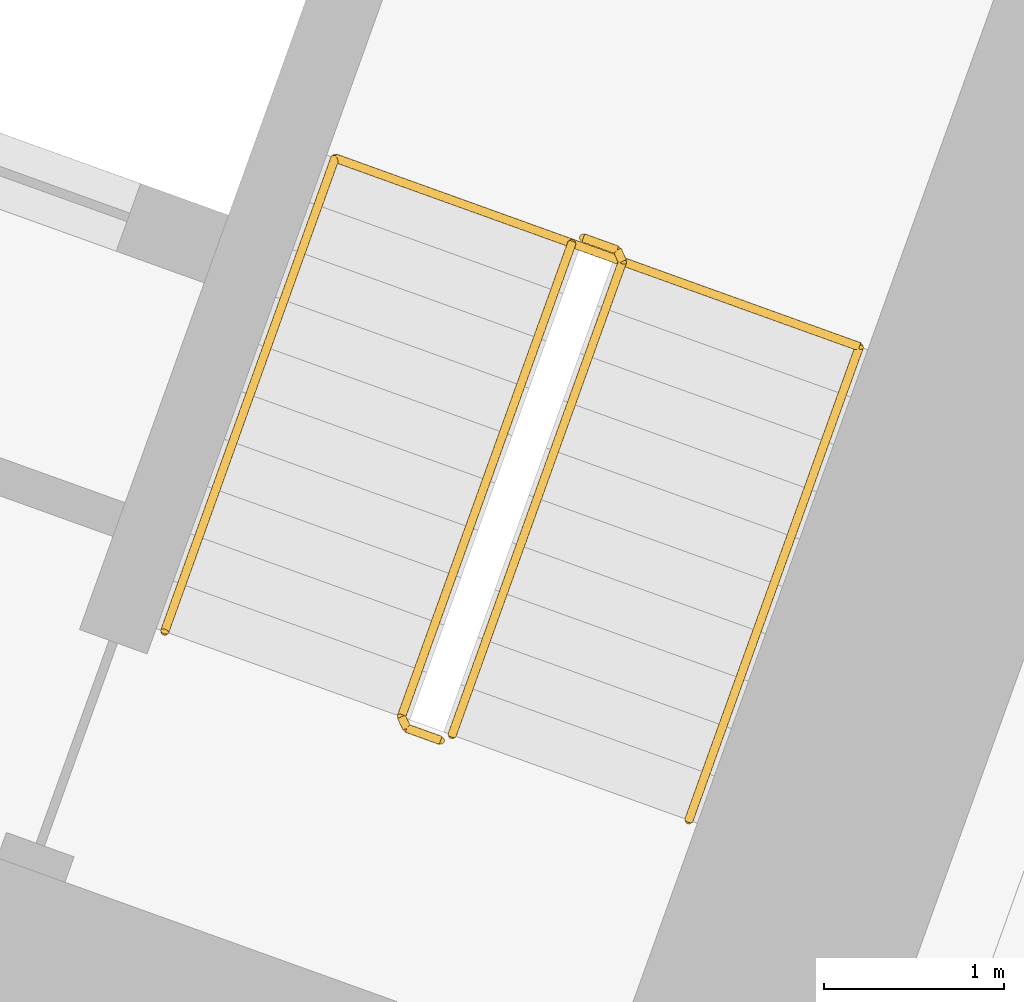
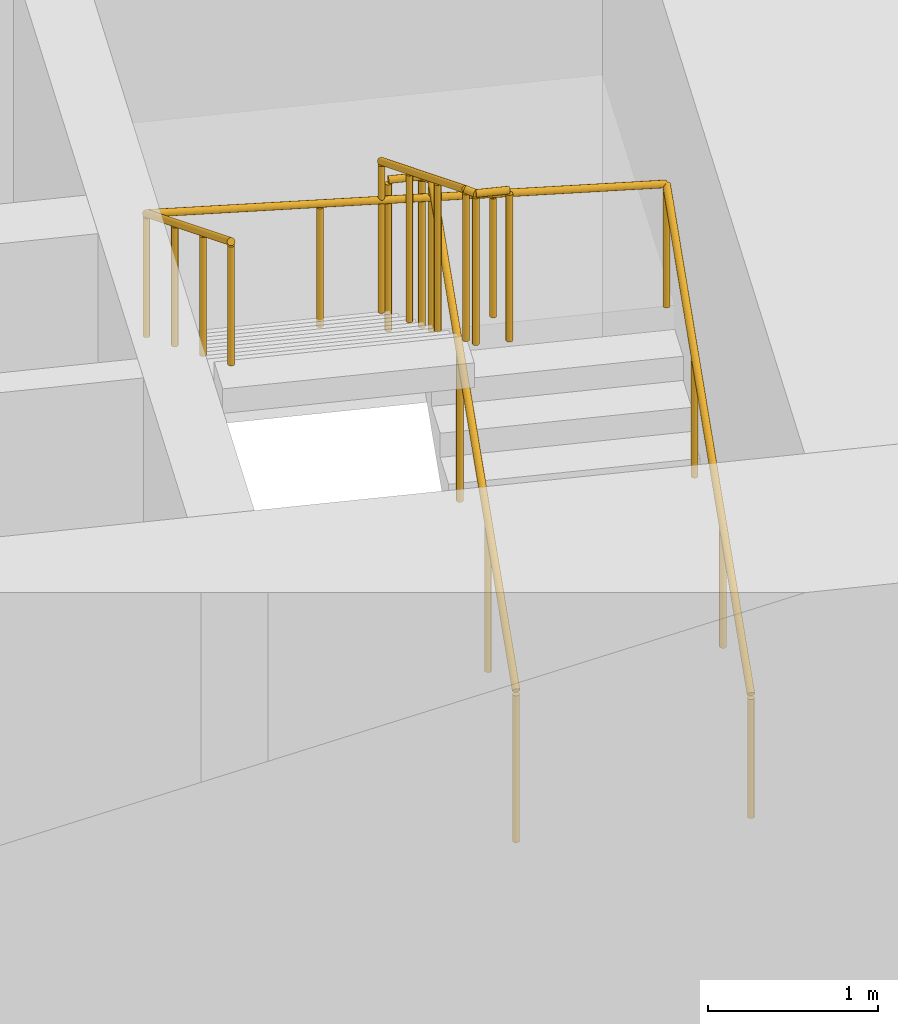
# One storey, part 21 of 21: 3 railings.
"""IFC4 building model written with IfcOpenShell, lengths in metres."""

import ifcopenshell
import ifcopenshell.guid

model = None  # the IFC model being written
_history = None  # IfcOwnerHistory: only IFC2X3 demands one
_inside = {}  # id of a spatial element -> (the spatial element, [elements in it])
_under = {}  # id of a project, library or spatial element -> (it, [spatial elements below it])
_declared = {}  # id of a project -> (the project, [libraries it declares])
_typed = {}  # id of a type object -> (the type object, [elements of that type])
_made_of = {}  # id of a material, layer set ... -> (it, [elements and type objects made of it])


def new_model(schema):
    """Start an empty IFC model of exactly this schema.

    Asked for "IFC4X3", IfcOpenShell would pick the latest addendum, in which some entities
    have other attributes; the version numbers below select the first issue.
    IFC2X3 requires an IfcOwnerHistory on every rooted entity: one is made here for all.
    """
    global model, _history
    if schema == "IFC4X3":
        model = ifcopenshell.file(schema_version=(4, 3, 0, 0))
    else:
        model = ifcopenshell.file(schema=schema)
    _inside.clear()
    _under.clear()
    _declared.clear()
    _typed.clear()
    _made_of.clear()
    _history = None
    if model.schema == "IFC2X3":
        org = make("IfcOrganization", Name="unknown")
        user = make(
            "IfcPersonAndOrganization",
            ThePerson=make("IfcPerson", FamilyName="unknown"),
            TheOrganization=org,
        )
        app = make(
            "IfcApplication",
            ApplicationDeveloper=org,
            Version="unknown",
            ApplicationFullName="unknown",
            ApplicationIdentifier="unknown",
        )
        _history = make(
            "IfcOwnerHistory",
            OwningUser=user,
            OwningApplication=app,
            ChangeAction="ADDED",
            CreationDate=0,
        )
    return model


def make(cls, **values):
    """One entity of the class cls with the attributes given. An attribute that is None is left unset."""
    return model.create_entity(
        cls, **{name: value for name, value in values.items() if value is not None}
    )


def rooted(cls, **values):
    """An entity with a GlobalId (a new one), such as an element, a storey or a relation."""
    return make(cls, GlobalId=ifcopenshell.guid.new(), OwnerHistory=_history, **values)


def si_unit(unit_type, name, prefix=None):
    """IfcSIUnit, for example si_unit("LENGTHUNIT", "METRE", prefix="MILLI")."""
    return make("IfcSIUnit", UnitType=unit_type, Prefix=prefix, Name=name)


def assignment(units):
    """IfcUnitAssignment: the units of a project."""
    return None if units is None else make("IfcUnitAssignment", Units=units)


def point(xyz):
    """IfcCartesianPoint."""
    return None if xyz is None else make("IfcCartesianPoint", Coordinates=xyz)


def direction(xyz):
    """IfcDirection."""
    return None if xyz is None else make("IfcDirection", DirectionRatios=xyz)


def frame(location, z_axis=None, x_axis=None):
    """IfcAxis2Placement3D, a coordinate frame: its origin and axes. An axis left out is left unset."""
    return make(
        "IfcAxis2Placement3D",
        Location=point(location),
        Axis=direction(z_axis),
        RefDirection=direction(x_axis),
    )


def frame_2d(location, x_axis=None):
    """IfcAxis2Placement2D, a coordinate frame in the plane: its origin and x axis."""
    return make(
        "IfcAxis2Placement2D", Location=point(location), RefDirection=direction(x_axis)
    )


def origin():
    """The frame at (0, 0, 0) with its axes left unset."""
    return frame((0.0, 0.0, 0.0))


def origin_2d():
    """The frame at (0, 0) in the plane with its x axis left unset."""
    return frame_2d((0.0, 0.0))


def place(relative_to, where):
    """IfcLocalPlacement: puts the frame where relative to a parent placement (None: the world)."""
    return make(
        "IfcLocalPlacement", PlacementRelTo=relative_to, RelativePlacement=where
    )


def context(
    kind, dimensions, precision=None, world=None, true_north=None, identifier=None
):
    """IfcGeometricRepresentationContext, for example the 3D "Model" context."""
    return make(
        "IfcGeometricRepresentationContext",
        ContextIdentifier=identifier,
        ContextType=kind,
        CoordinateSpaceDimension=dimensions,
        Precision=precision,
        WorldCoordinateSystem=world,
        TrueNorth=true_north,
    )


def subcontext(parent, identifier, kind, view, scale=None):
    """IfcGeometricRepresentationSubContext, for example "Body" below "Model"."""
    return make(
        "IfcGeometricRepresentationSubContext",
        ContextIdentifier=identifier,
        ContextType=kind,
        ParentContext=parent,
        TargetScale=scale,
        TargetView=view,
    )


def project(units=None, contexts=None):
    """IfcProject with its units and contexts."""
    return rooted(
        "IfcProject",
        Name="project",
        RepresentationContexts=contexts,
        UnitsInContext=assignment(units),
    )


def spatial(cls, under=None, at=None, **own):
    """A site, building, storey or space (cls), placed at a placement, below another one or the project."""
    s = rooted(cls, ObjectPlacement=at, **own)
    if under is not None:
        _under.setdefault(under.id(), (under, []))[1].append(s)
    return s


def profile(cls, at=None, kind="AREA", **sizes):
    """A parametric profile (cls). Its sizes go by their IFC names, for example OverallWidth=200.0."""
    return make(cls, ProfileType=kind, Position=at, **sizes)


def circle(**sizes):
    """IfcCircleProfileDef."""
    return profile("IfcCircleProfileDef", **sizes)


def extrude(swept, where, along, depth):
    """IfcExtrudedAreaSolid: the profile swept, set in the frame where, extruded along a direction by depth."""
    return make(
        "IfcExtrudedAreaSolid",
        SweptArea=swept,
        Position=where,
        ExtrudedDirection=direction(along),
        Depth=depth,
    )


def shape(context_of_items, identifier, shape_type, items):
    """IfcShapeRepresentation: the items that make up one representation, for example the "Body"."""
    return make(
        "IfcShapeRepresentation",
        ContextOfItems=context_of_items,
        RepresentationIdentifier=identifier,
        RepresentationType=shape_type,
        Items=items,
    )


def material(Name=None, Category=None):
    """IfcMaterial."""
    return make("IfcMaterial", Name=Name, Category=Category)


def made_of(thing, what):
    """Note that an element or type object is made of a material, layer set ...; save() writes the relation."""
    if what is not None:
        _made_of.setdefault(what.id(), (what, []))[1].append(thing)
    return thing


def type_object(cls, material=None, **own):
    """A type object (cls), such as IfcWallType, which elements share."""
    return made_of(rooted(cls, **own), material)


def element(
    cls,
    number,
    at=None,
    inside=None,
    cuts=None,
    type_object=None,
    material=None,
    context=None,
    identifier="Body",
    shape_type=None,
    held_by="IfcProductDefinitionShape",
    body=None,
    shapes=None,
    **own,
):
    """One element of the class cls, such as IfcWall. Its Tag is "e" and its number.

    at: its placement. inside: the storey or other place that contains it. cuts: it is an
    opening in that element (IfcRelVoidsElement). A single representation is given by context,
    identifier, shape_type and body (its items); several are given by shapes. held_by: the class
    of the entity that holds the representations. save() writes the other relations.
    """
    e = rooted(cls, Tag="e%d" % number, ObjectPlacement=at, **own)
    if body is not None:
        shapes = [shape(context, identifier, shape_type, body)]
    if shapes is not None:
        e.Representation = make(held_by, Representations=shapes)
    if inside is not None:
        _inside.setdefault(inside.id(), (inside, []))[1].append(e)
    if cuts is not None:
        rooted(
            "IfcRelVoidsElement", RelatingBuildingElement=cuts, RelatedOpeningElement=e
        )
    if type_object is not None:
        _typed.setdefault(type_object.id(), (type_object, []))[1].append(e)
    return made_of(e, material)


def aggregate(whole, parts):
    """IfcRelAggregates: a whole, such as a stair, and the parts it consists of."""
    return rooted("IfcRelAggregates", RelatingObject=whole, RelatedObjects=parts)


def save(model, path):
    """Write the relations noted so far, then the file.

    IfcRelAggregates (storeys below a building ...), IfcRelContainedInSpatialStructure (elements
    in a storey), IfcRelDefinesByType, IfcRelAssociatesMaterial and IfcRelDeclares: one each for
    every whole, place, type object, material and project.
    """
    for whole, parts in _under.values():
        aggregate(whole, parts)
    for where, things in _inside.values():
        rooted(
            "IfcRelContainedInSpatialStructure",
            RelatedElements=things,
            RelatingStructure=where,
        )
    for kind, things in _typed.values():
        rooted("IfcRelDefinesByType", RelatedObjects=things, RelatingType=kind)
    for what, things in _made_of.values():
        rooted("IfcRelAssociatesMaterial", RelatedObjects=things, RelatingMaterial=what)
    for by, libraries in _declared.values():
        rooted("IfcRelDeclares", RelatingContext=by, RelatedDefinitions=libraries)
    model.write(path)


model = new_model("IFC4")

# Units and contexts
model_context = context("Model", 3, precision=1e-05, world=origin(), true_north=direction((0.0, 1.0)))
body_context = subcontext(model_context, "Body", "Model", "MODEL_VIEW")
ifc_project = project(units=[si_unit("LENGTHUNIT", "METRE"), si_unit("AREAUNIT", "SQUARE_METRE"), si_unit("VOLUMEUNIT", "CUBIC_METRE"), si_unit("PLANEANGLEUNIT", "RADIAN"), si_unit("MASSUNIT", "GRAM", prefix="KILO")], contexts=[model_context])

# Site, building, storey
site_placement = place(None, origin())
site = spatial("IfcSite", under=ifc_project, at=site_placement, CompositionType="ELEMENT")
building_placement = place(site_placement, origin())
building = spatial("IfcBuilding", under=site, at=building_placement, Name="Stone Belt Terrace Tower", CompositionType="ELEMENT")
storey_placement = place(building_placement, frame((0.0, 0.0, 151.60009765625)))
storey = spatial("IfcBuildingStorey", under=building, at=storey_placement, Name="L36", CompositionType="ELEMENT", Elevation=151.60009765625)

# Railings
ifc_material = material(Name="Structural steel C345", Category="steel")
railing_type_1 = type_object("IfcRailingType", Name="Stair guard 1100", PredefinedType="GUARDRAIL", material=ifc_material)
railing_1_placement = place(storey_placement, frame((24.494140625, 45.174560546875, 0.172607421875)))
element("IfcRailing", 1, at=railing_1_placement, inside=storey, type_object=railing_type_1, Name="L36 ST1B stair guard 1", PredefinedType="GUARDRAIL", context=body_context, shape_type="SweptSolid", body=[
    extrude(circle(Radius=0.02392578125, at=origin_2d()), frame((0.0, 0.0, 1.076171875), z_axis=(0.288228637646, 0.800791768495, 0.525030280985), x_axis=(-0.940908529223, 0.338660803216, 0.0)), (0.0, 0.0, 1.0), 3.289794921875),
    extrude(circle(Radius=0.02392578125, at=origin_2d()), frame((0.9482421875, 2.634521484375, 2.80322265625), z_axis=(-0.424964916, 0.905209821074, 0.0), x_axis=(-0.905209821074, -0.424964916, 0.0)), (0.0, 0.0, 1.0), 0.070556640625),
    extrude(circle(Radius=0.02392578125, at=origin_2d()), frame((0.918212890625, 2.698486328125, 2.80322265625), z_axis=(-0.941105063269, 0.338114270461, 0.0), x_axis=(-0.338114270461, -0.941105063269, 0.0)), (0.0, 0.0, 1.0), 0.199951171875),
    extrude(circle(Radius=0.02099609375, at=origin_2d()), origin(), (0.0, 0.0, 1.0), 1.052001953125),
    extrude(circle(Radius=0.02099609375, at=origin_2d()), frame((0.316162109375, 0.878173828125, 0.57568359375)), (0.0, 0.0, 1.0), 1.052001953125),
    extrude(circle(Radius=0.02099609375, at=origin_2d()), frame((0.632080078125, 1.75634765625, 1.151611328125)), (0.0, 0.0, 1.0), 1.052001953125),
    extrude(circle(Radius=0.02099609375, at=origin_2d()), frame((0.9482421875, 2.634521484375, 1.727294921875)), (0.0, 0.0, 1.0), 1.052001953125),
    extrude(circle(Radius=0.02099609375, at=origin_2d()), frame((0.918212890625, 2.698486328125, 1.727294921875)), (0.0, 0.0, 1.0), 1.052001953125),
    extrude(circle(Radius=0.02099609375, at=origin_2d()), frame((0.72998046875, 2.76611328125, 1.727294921875)), (0.0, 0.0, 1.0), 1.052001953125),
])
railing_2_placement = place(storey_placement, frame((25.16015625, 47.91064453125, 2.072509765625)))
element("IfcRailing", 2, at=railing_2_placement, inside=storey, type_object=railing_type_1, Name="L36 ST1B stair guard 2", PredefinedType="GUARDRAIL", context=body_context, shape_type="SweptSolid", body=[
    extrude(circle(Radius=0.02392578125, at=origin_2d()), frame((0.0, 0.0, 1.076171875), z_axis=(-0.288228637646, -0.800791768495, 0.525030280985), x_axis=(0.940908529223, -0.338660803216, 0.0)), (0.0, 0.0, 1.0), 3.289794921875),
    extrude(circle(Radius=0.02392578125, at=origin_2d()), frame((-0.9482421875, -2.634521484375, 2.80322265625), z_axis=(0.427789722475, -0.903878284585, 0.0), x_axis=(0.903878284585, 0.427789722475, 0.0)), (0.0, 0.0, 1.0), 0.07080078125),
    extrude(circle(Radius=0.02392578125, at=origin_2d()), frame((-0.91796875, -2.698486328125, 2.80322265625), z_axis=(0.940575576748, -0.339584429008, 0.0), x_axis=(0.339584429008, 0.940575576748, 0.0)), (0.0, 0.0, 1.0), 0.199951171875),
    extrude(circle(Radius=0.02099609375, at=origin_2d()), origin(), (0.0, 0.0, 1.0), 1.052001953125),
    extrude(circle(Radius=0.02099609375, at=origin_2d()), frame((-0.316162109375, -0.878173828125, 0.57568359375)), (0.0, 0.0, 1.0), 1.052001953125),
    extrude(circle(Radius=0.02099609375, at=origin_2d()), frame((-0.632080078125, -1.75634765625, 1.151611328125)), (0.0, 0.0, 1.0), 1.052001953125),
    extrude(circle(Radius=0.02099609375, at=origin_2d()), frame((-0.9482421875, -2.634521484375, 1.727294921875)), (0.0, 0.0, 1.0), 1.052001953125),
    extrude(circle(Radius=0.02099609375, at=origin_2d()), frame((-0.91796875, -2.698486328125, 1.727294921875)), (0.0, 0.0, 1.0), 1.052001953125),
    extrude(circle(Radius=0.02099609375, at=origin_2d()), frame((-0.72998046875, -2.766357421875, 1.727294921875)), (0.0, 0.0, 1.0), 1.052001953125),
])
railing_type_2 = type_object("IfcRailingType", Name="Stair handrail 900", PredefinedType="HANDRAIL", material=ifc_material)
railing_3_placement = place(storey_placement, frame((25.8115234375, 44.700439453125, 0.172607421875)))
element("IfcRailing", 3, at=railing_3_placement, inside=storey, type_object=railing_type_2, Name="L36 ST1B stair handrail 1", PredefinedType="HANDRAIL", context=body_context, shape_type="SweptSolid", body=[
    extrude(circle(Radius=0.02392578125, at=origin_2d()), frame((0.0, 0.0, 0.8759765625), z_axis=(0.288228637646, 0.800791768495, 0.525030280985), x_axis=(-0.940908529223, 0.338660803216, 0.0)), (0.0, 0.0, 1.0), 3.289794921875),
    extrude(circle(Radius=0.02392578125, at=origin_2d()), frame((0.9482421875, 2.634521484375, 2.60302734375), z_axis=(-0.939464517435, 0.338106580597, 0.055591012205), x_axis=(-0.338630230244, -0.940919532779, 0.0)), (0.0, 0.0, 1.0), 3.10498046875),
    extrude(circle(Radius=0.02392578125, at=origin_2d()), frame((-1.96875, 3.684326171875, 2.77587890625), z_axis=(-0.288160591223, -0.800808895155, 0.52504150989), x_axis=(0.940936311087, -0.338583606334, 0.0)), (0.0, 0.0, 1.0), 3.289794921875),
    extrude(circle(Radius=0.02099609375, at=origin_2d()), origin(), (0.0, 0.0, 1.0), 0.851806640625),
    extrude(circle(Radius=0.02099609375, at=origin_2d()), frame((0.316162109375, 0.878173828125, 0.57568359375)), (0.0, 0.0, 1.0), 0.851806640625),
    extrude(circle(Radius=0.02099609375, at=origin_2d()), frame((0.632080078125, 1.75634765625, 1.151611328125)), (0.0, 0.0, 1.0), 0.851806640625),
    extrude(circle(Radius=0.02099609375, at=origin_2d()), frame((0.9482421875, 2.634521484375, 1.727294921875)), (0.0, 0.0, 1.0), 0.851806640625),
    extrude(circle(Radius=0.02099609375, at=origin_2d()), frame((-0.024169921875, 2.984375, 1.784912109375)), (0.0, 0.0, 1.0), 0.851806640625),
    extrude(circle(Radius=0.02099609375, at=origin_2d()), frame((-0.996337890625, 3.33447265625, 1.84228515625)), (0.0, 0.0, 1.0), 0.851806640625),
    extrude(circle(Radius=0.02099609375, at=origin_2d()), frame((-1.96875, 3.684326171875, 1.89990234375)), (0.0, 0.0, 1.0), 0.851806640625),
    extrude(circle(Radius=0.02099609375, at=origin_2d()), frame((-2.28466796875, 2.80615234375, 2.4755859375)), (0.0, 0.0, 1.0), 0.851806640625),
    extrude(circle(Radius=0.02099609375, at=origin_2d()), frame((-2.600830078125, 1.927978515625, 3.051513671875)), (0.0, 0.0, 1.0), 0.851806640625),
    extrude(circle(Radius=0.02099609375, at=origin_2d()), frame((-2.916748046875, 1.0498046875, 3.627197265625)), (0.0, 0.0, 1.0), 0.851806640625),
])

save(model, "model.ifc")
